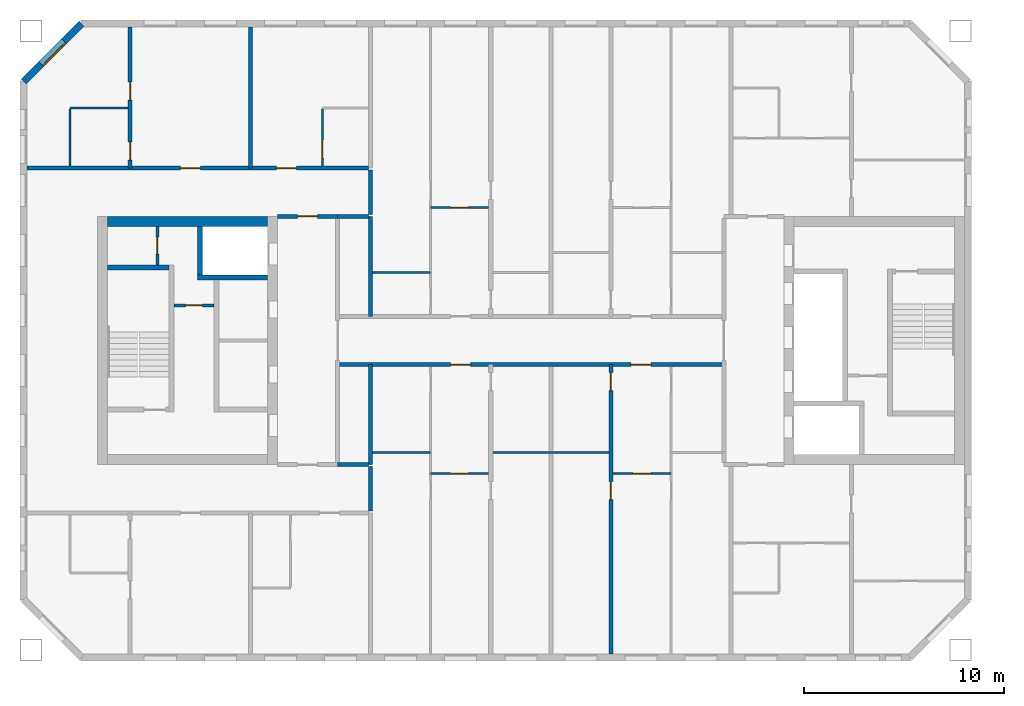
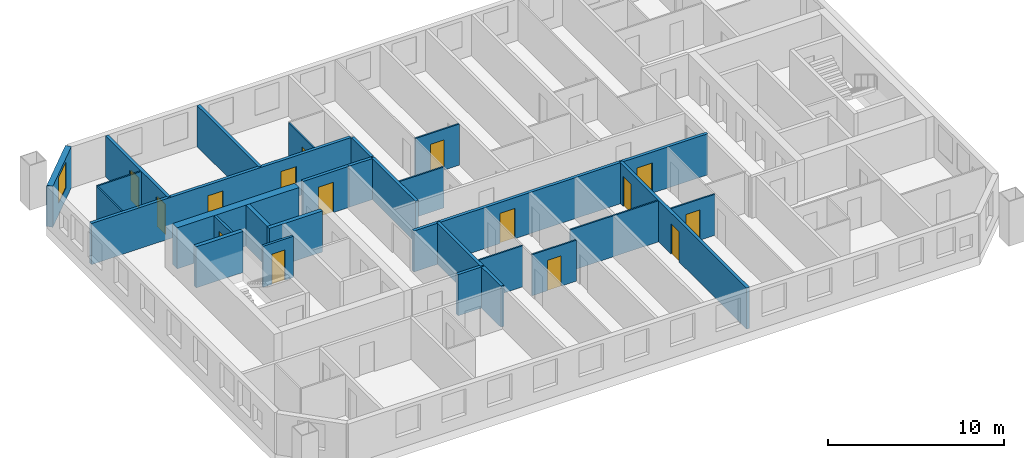
# One storey, part 4 of 15: 28 walls, 15 doors, 1 window, 16 openings.
"""IFC4 building model written with IfcOpenShell, lengths in metres."""

from ifc_helpers import new_model, si_unit, direction, frame, frame_2d, origin, place, context, subcontext, project, spatial, rectangle, extrude, material, layer, layer_set, type_object, element, fill, save


model = new_model("IFC4")

# Units and contexts
model_context = context("Model", 3, precision=1e-05, world=origin(), true_north=direction((0.0, 1.0)))
body_context = subcontext(model_context, "Body", "Model", "MODEL_VIEW")
ifc_project = project(units=[si_unit("LENGTHUNIT", "METRE"), si_unit("AREAUNIT", "SQUARE_METRE"), si_unit("VOLUMEUNIT", "CUBIC_METRE"), si_unit("PLANEANGLEUNIT", "RADIAN"), si_unit("MASSUNIT", "GRAM", prefix="KILO")], contexts=[model_context])

# Site, building, storey
site_placement = place(None, origin())
site = spatial("IfcSite", under=ifc_project, at=site_placement, CompositionType="ELEMENT")
building_placement = place(site_placement, origin())
building = spatial("IfcBuilding", under=site, at=building_placement, Name="Tuart Gate Housing", CompositionType="ELEMENT")
storey_placement = place(building_placement, frame((0.0, 0.0, 148.5)))
storey = spatial("IfcBuildingStorey", under=building, at=storey_placement, Name="L41", CompositionType="ELEMENT", Elevation=148.5)

# Wall, opening, window
ifc_material_1 = material(Name="Brick", Category="masonry")
ifc_layer_1 = layer(ifc_material_1, 0.360107421875)
ifc_layer_set_1 = layer_set([ifc_layer_1], Name="Brick pier and spandrel wall 360")
wall_type_1 = type_object("IfcWallType", Name="Brick pier and spandrel wall 360", PredefinedType="STANDARD", material=ifc_layer_set_1)
wall_1_placement = place(storey_placement, frame((31.57470703125, 85.820068359375, 0.0), z_axis=(0.0, 0.0, 1.0), x_axis=(-0.707106781187, -0.707106781187, 0.0)))
wall_1 = element("IfcWall", 1, at=wall_1_placement, inside=storey, type_object=wall_type_1, Name="External wall A-NW L41", PredefinedType="STANDARD", context=body_context, shape_type="SweptSolid", body=[
    extrude(rectangle(XDim=4.09375, YDim=0.360107421875, at=frame_2d((2.046875, 0.0))), origin(), (0.0, 0.0, 1.0), 2.85009765625),
])
opening_1_placement = place(wall_1_placement, frame((1.2470703125, 0.0, 0.800048828125)))
opening_1 = element("IfcOpeningElement", 2, at=opening_1_placement, cuts=wall_1, Name="Opening W1", PredefinedType="OPENING", context=body_context, shape_type="SweptSolid", body=[
    extrude(rectangle(XDim=1.60009765625, YDim=1.800048828125, at=frame_2d((0.800048828125, 0.89990234375))), frame((0.0, 0.18994140625, 0.0), z_axis=(0.0, -1.0, 0.0), x_axis=(1.0, 0.0, 0.0)), (0.0, 0.0, 1.0), 0.380126953125),
])
ifc_material_2 = material(Name="Aluminium frame with clear glass", Category="aluminium")
window_type = type_object("IfcWindowType", Name="Punched window 1600 x 1800", PartitioningType="SINGLE_PANEL", PredefinedType="WINDOW", material=ifc_material_2)
window_placement = place(opening_1_placement, origin())
window = element("IfcWindow", 3, at=window_placement, inside=storey, type_object=window_type, Name="Window W1", OverallHeight=1.800048828125, OverallWidth=1.60009765625, PartitioningType="SINGLE_PANEL", PredefinedType="WINDOW", context=body_context, shape_type="SweptSolid", body=[
    extrude(rectangle(XDim=1.60009765625, YDim=1.800048828125, at=frame_2d((0.800048828125, 0.89990234375))), frame((0.0, 0.150146484375, 0.0), z_axis=(0.0, -1.0, 0.0), x_axis=(1.0, 0.0, 0.0)), (0.0, 0.0, 1.0), 0.06005859375),
])
fill(opening_1, window)

# Wall, opening, door
ifc_material_3 = material(Name="Plasterboard partition")
ifc_layer_2 = layer(ifc_material_3, 0.14990234375)
ifc_layer_set_2 = layer_set([ifc_layer_2], Name="Core partition 150")
wall_type_2 = type_object("IfcWallType", Name="Core partition 150", PredefinedType="PARTITIONING", material=ifc_layer_set_2)
wall_2_placement = place(storey_placement, frame((38.18505859375, 71.75, 0.0), z_axis=(0.0, 0.0, 1.0), x_axis=(-1.0, 0.0, 0.0)))
wall_2 = element("IfcWall", 4, at=wall_2_placement, inside=storey, type_object=wall_type_2, Name="Core partition AK.3", PredefinedType="PARTITIONING", context=body_context, shape_type="SweptSolid", body=[
    extrude(rectangle(XDim=2.0, YDim=0.14990234375, at=frame_2d((1.0, 0.0))), origin(), (0.0, 0.0, 1.0), 2.85009765625),
])
opening_2_placement = place(wall_2_placement, frame((0.574951171875, 0.0, 0.0)))
opening_2 = element("IfcOpeningElement", 5, at=opening_2_placement, cuts=wall_2, Name="Opening D1539", PredefinedType="OPENING", context=body_context, shape_type="SweptSolid", body=[
    extrude(rectangle(XDim=0.85009765625, YDim=2.10009765625, at=frame_2d((0.425048828125, 1.050048828125))), frame((0.0, 0.0849609375, 0.0), z_axis=(0.0, -1.0, 0.0), x_axis=(1.0, 0.0, 0.0)), (0.0, 0.0, 1.0), 0.169921875),
])
ifc_material_4 = material(Name="Steel fire door", Category="steel")
door_type_1 = type_object("IfcDoorType", Name="Riser door 850 x 2100 RH", OperationType="SINGLE_SWING_RIGHT", PredefinedType="DOOR", material=ifc_material_4)
door_1_placement = place(opening_2_placement, frame((0.85009765625, 0.0, 0.0), z_axis=(0.0, 0.0, 1.0), x_axis=(-1.0, 0.0, 0.0)))
door_1 = element("IfcDoor", 6, at=door_1_placement, inside=storey, type_object=door_type_1, Name="Service room door AK.E1", OperationType="SINGLE_SWING_RIGHT", OverallHeight=2.10009765625, OverallWidth=0.85009765625, PredefinedType="DOOR", context=body_context, shape_type="SweptSolid", body=[
    extrude(rectangle(XDim=0.85009765625, YDim=2.10009765625, at=frame_2d((0.425048828125, 1.050048828125))), frame((0.0, 0.025146484375, 0.0), z_axis=(0.0, -1.0, 0.0), x_axis=(1.0, 0.0, 0.0)), (0.0, 0.0, 1.0), 0.050048828125),
])
fill(opening_2, door_1)

wall_3_placement = place(storey_placement, frame((35.360107421875, 75.699951171875, 0.0), z_axis=(0.0, 0.0, 1.0), x_axis=(0.0, -1.0, 0.0)))
wall_3 = element("IfcWall", 7, at=wall_3_placement, inside=storey, type_object=wall_type_2, Name="Core partition AK.10", PredefinedType="PARTITIONING", context=body_context, shape_type="SweptSolid", body=[
    extrude(rectangle(XDim=1.925048828125, YDim=0.14990234375, at=frame_2d((0.96240234375, 0.0))), origin(), (0.0, 0.0, 1.0), 2.85009765625),
])
opening_3_placement = place(wall_3_placement, frame((0.53759765625, 0.0, 0.0)))
opening_3 = element("IfcOpeningElement", 8, at=opening_3_placement, cuts=wall_3, Name="Opening D1537", PredefinedType="OPENING", context=body_context, shape_type="SweptSolid", body=[
    extrude(rectangle(XDim=0.85009765625, YDim=2.10009765625, at=frame_2d((0.425048828125, 1.050048828125))), frame((0.0, 0.0849609375, 0.0), z_axis=(0.0, -1.0, 0.0), x_axis=(1.0, 0.0, 0.0)), (0.0, 0.0, 1.0), 0.169921875),
])
ifc_material_5 = material(Name="Steel fire door", Category="steel")
door_type_2 = type_object("IfcDoorType", Name="Service door 850 x 2100", OperationType="SINGLE_SWING_LEFT", PredefinedType="DOOR", material=ifc_material_5)
door_2_placement = place(opening_3_placement, origin())
door_2 = element("IfcDoor", 9, at=door_2_placement, inside=storey, type_object=door_type_2, Name="Service room door AK.E2", OperationType="SINGLE_SWING_LEFT", OverallHeight=2.10009765625, OverallWidth=0.85009765625, PredefinedType="DOOR", context=body_context, shape_type="SweptSolid", body=[
    extrude(rectangle(XDim=0.85009765625, YDim=2.10009765625, at=frame_2d((0.425048828125, 1.050048828125))), frame((0.0, 0.02490234375, 0.0), z_axis=(0.0, -1.0, 0.0), x_axis=(1.0, 0.0, 0.0)), (0.0, 0.0, 1.0), 0.050048828125),
])
fill(opening_3, door_2)

# Walls
ifc_material_6 = material(Name="Concrete C40", Category="concrete")
ifc_layer_3 = layer(ifc_material_6, 0.25)
ifc_layer_set_3 = layer_set([ifc_layer_3], Name="Core wall 250 C40")
wall_type_3 = type_object("IfcWallType", Name="Core wall 250 C40", PredefinedType="SHEAR", material=ifc_layer_set_3)
wall_4_placement = place(storey_placement, frame((35.93505859375, 73.64990234375, 0.0), z_axis=(0.0, 0.0, 1.0), x_axis=(-1.0, 0.0, 0.0)))
element("IfcWall", 10, at=wall_4_placement, inside=storey, type_object=wall_type_3, Name="Core wall AK.1", PredefinedType="SHEAR", context=body_context, shape_type="SweptSolid", body=[
    extrude(rectangle(XDim=3.074951171875, YDim=0.25, at=frame_2d((1.53759765625, 0.0))), origin(), (0.0, 0.0, 1.0), 2.85009765625),
])
wall_5_placement = place(storey_placement, frame((40.860107421875, 73.14990234375, 0.0), z_axis=(0.0, 0.0, 1.0), x_axis=(-1.0, 0.0, 0.0)))
element("IfcWall", 11, at=wall_5_placement, inside=storey, type_object=wall_type_3, Name="Core wall AK.2", PredefinedType="SHEAR", context=body_context, shape_type="SweptSolid", body=[
    extrude(rectangle(XDim=3.4951171875, YDim=0.25, at=frame_2d((1.74755859375, 0.0))), origin(), (0.0, 0.0, 1.0), 2.85009765625),
])
wall_6_placement = place(storey_placement, frame((37.489990234375, 75.699951171875, 0.0), z_axis=(0.0, 0.0, 1.0), x_axis=(0.0, -1.0, 0.0)))
element("IfcWall", 12, at=wall_6_placement, inside=storey, type_object=wall_type_3, Name="Core wall AK.8", PredefinedType="SHEAR", context=body_context, shape_type="SweptSolid", body=[
    extrude(rectangle(XDim=2.425048828125, YDim=0.25, at=frame_2d((1.21240234375, 0.0))), origin(), (0.0, 0.0, 1.0), 2.85009765625),
])
ifc_material_7 = material(Name="Concrete C40", Category="concrete")
ifc_layer_4 = layer(ifc_material_7, 0.5)
ifc_layer_set_4 = layer_set([ifc_layer_4], Name="Core wall 500 C40")
wall_type_4 = type_object("IfcWallType", Name="Core wall 500 C40", PredefinedType="SHEAR", material=ifc_layer_set_4)
wall_7_placement = place(storey_placement, frame((40.860107421875, 75.949951171875, 0.0), z_axis=(0.0, 0.0, 1.0), x_axis=(-1.0, 0.0, 0.0)))
element("IfcWall", 13, at=wall_7_placement, inside=storey, type_object=wall_type_4, Name="Core wall AK south", PredefinedType="SHEAR", context=body_context, shape_type="SweptSolid", body=[
    extrude(rectangle(XDim=8.0, YDim=0.5, at=frame_2d((4.0, 0.0))), origin(), (0.0, 0.0, 1.0), 2.85009765625),
])
ifc_material_8 = material(Name="Concrete masonry 15 MPa", Category="masonry")
ifc_layer_5 = layer(ifc_material_8, 0.199951171875)
ifc_layer_set_5 = layer_set([ifc_layer_5], Name="Corridor wall masonry 200")
wall_type_5 = type_object("IfcWallType", Name="Corridor wall masonry 200", PredefinedType="PARTITIONING", material=ifc_layer_set_5)
wall_8_placement = place(storey_placement, frame((44.360107421875, 63.800048828125, 0.0), z_axis=(0.0, 0.0, 1.0), x_axis=(1.0, 0.0, 0.0)))
element("IfcWall", 14, at=wall_8_placement, inside=storey, type_object=wall_type_5, Name="Corridor wall masonry 200", PredefinedType="PARTITIONING", context=body_context, shape_type="SweptSolid", body=[
    extrude(rectangle(XDim=1.539794921875, YDim=0.199951171875, at=frame_2d((0.77001953125, 0.0))), origin(), (0.0, 0.0, 1.0), 2.85009765625),
])

# Wall, openings, doors
wall_9_placement = place(storey_placement, frame((44.360107421875, 68.800048828125, 0.0), z_axis=(0.0, 0.0, 1.0), x_axis=(1.0, 0.0, 0.0)))
wall_9 = element("IfcWall", 15, at=wall_9_placement, inside=storey, type_object=wall_type_5, Name="Corridor wall masonry 200", PredefinedType="PARTITIONING", context=body_context, shape_type="SweptSolid", body=[
    extrude(rectangle(XDim=19.27978515625, YDim=0.199951171875, at=frame_2d((9.639892578125, 0.0))), origin(), (0.0, 0.0, 1.0), 2.85009765625),
])
opening_4_placement = place(wall_9_placement, frame((14.639892578125, 0.0, 0.0)))
opening_4 = element("IfcOpeningElement", 16, at=opening_4_placement, cuts=wall_9, Name="Opening D1548", PredefinedType="OPENING", context=body_context, shape_type="SweptSolid", body=[
    extrude(rectangle(XDim=1.0, YDim=2.10009765625, at=frame_2d((0.5, 1.050048828125))), frame((0.0, 0.10986328125, 0.0), z_axis=(0.0, -1.0, 0.0), x_axis=(1.0, 0.0, 0.0)), (0.0, 0.0, 1.0), 0.219970703125),
])
opening_5_placement = place(wall_9_placement, frame((5.639892578125, 0.0, 0.0)))
opening_5 = element("IfcOpeningElement", 17, at=opening_5_placement, cuts=wall_9, Name="Opening D1549", PredefinedType="OPENING", context=body_context, shape_type="SweptSolid", body=[
    extrude(rectangle(XDim=1.0, YDim=2.10009765625, at=frame_2d((0.5, 1.050048828125))), frame((0.0, 0.10986328125, 0.0), z_axis=(0.0, -1.0, 0.0), x_axis=(1.0, 0.0, 0.0)), (0.0, 0.0, 1.0), 0.219970703125),
])
ifc_material_9 = material(Name="Timber door leaf in steel frame", Category="steel")
door_type_3 = type_object("IfcDoorType", Name="Flat entrance door 1000 RH", OperationType="SINGLE_SWING_RIGHT", PredefinedType="DOOR", material=ifc_material_9)
door_3_placement = place(opening_4_placement, frame((1.0, 0.0, 0.0), z_axis=(0.0, 0.0, 1.0), x_axis=(-1.0, 0.0, 0.0)))
door_3 = element("IfcDoor", 18, at=door_3_placement, inside=storey, type_object=door_type_3, Name="Flat entrance door", OperationType="SINGLE_SWING_RIGHT", OverallHeight=2.10009765625, OverallWidth=1.0, PredefinedType="DOOR", context=body_context, shape_type="SweptSolid", body=[
    extrude(rectangle(XDim=1.0, YDim=2.10009765625, at=frame_2d((0.5, 1.050048828125))), frame((0.0, 0.025146484375, 0.0), z_axis=(0.0, -1.0, 0.0), x_axis=(1.0, 0.0, 0.0)), (0.0, 0.0, 1.0), 0.050048828125),
])
fill(opening_4, door_3)
door_4_placement = place(opening_5_placement, frame((1.0, 0.0, 0.0), z_axis=(0.0, 0.0, 1.0), x_axis=(-1.0, 0.0, 0.0)))
door_4 = element("IfcDoor", 19, at=door_4_placement, inside=storey, type_object=door_type_3, Name="Flat entrance door", OperationType="SINGLE_SWING_RIGHT", OverallHeight=2.10009765625, OverallWidth=1.0, PredefinedType="DOOR", context=body_context, shape_type="SweptSolid", body=[
    extrude(rectangle(XDim=1.0, YDim=2.10009765625, at=frame_2d((0.5, 1.050048828125))), frame((0.0, 0.025146484375, 0.0), z_axis=(0.0, -1.0, 0.0), x_axis=(1.0, 0.0, 0.0)), (0.0, 0.0, 1.0), 0.050048828125),
])
fill(opening_5, door_4)

# Wall
wall_10_placement = place(storey_placement, frame((44.360107421875, 76.199951171875, 0.0), z_axis=(0.0, 0.0, 1.0), x_axis=(1.0, 0.0, 0.0)))
element("IfcWall", 20, at=wall_10_placement, inside=storey, type_object=wall_type_5, Name="Corridor wall masonry 200", PredefinedType="PARTITIONING", context=body_context, shape_type="SweptSolid", body=[
    extrude(rectangle(XDim=1.539794921875, YDim=0.199951171875, at=frame_2d((0.77001953125, 0.0))), origin(), (0.0, 0.0, 1.0), 2.85009765625),
])

# Wall, openings, doors
wall_11_placement = place(storey_placement, frame((28.860107421875, 78.60009765625, 0.0), z_axis=(0.0, 0.0, 1.0), x_axis=(1.0, 0.0, 0.0)))
wall_11 = element("IfcWall", 21, at=wall_11_placement, inside=storey, type_object=wall_type_5, Name="Corridor wall masonry 200", PredefinedType="PARTITIONING", context=body_context, shape_type="SweptSolid", body=[
    extrude(rectangle(XDim=17.039794921875, YDim=0.199951171875, at=frame_2d((8.52001953125, 0.0))), origin(), (0.0, 0.0, 1.0), 2.85009765625),
])
opening_6_placement = place(wall_11_placement, frame((12.43994140625, 0.0, 0.0)))
opening_6 = element("IfcOpeningElement", 22, at=opening_6_placement, cuts=wall_11, Name="Opening D1523", PredefinedType="OPENING", context=body_context, shape_type="SweptSolid", body=[
    extrude(rectangle(XDim=1.0, YDim=2.10009765625, at=frame_2d((0.5, 1.050048828125))), frame((0.0, 0.10986328125, 0.0), z_axis=(0.0, -1.0, 0.0), x_axis=(1.0, 0.0, 0.0)), (0.0, 0.0, 1.0), 0.219970703125),
])
opening_7_placement = place(wall_11_placement, frame((7.639892578125, 0.0, 0.0)))
opening_7 = element("IfcOpeningElement", 23, at=opening_7_placement, cuts=wall_11, Name="Opening D1524", PredefinedType="OPENING", context=body_context, shape_type="SweptSolid", body=[
    extrude(rectangle(XDim=1.0, YDim=2.10009765625, at=frame_2d((0.5, 1.050048828125))), frame((0.0, 0.10986328125, 0.0), z_axis=(0.0, -1.0, 0.0), x_axis=(1.0, 0.0, 0.0)), (0.0, 0.0, 1.0), 0.219970703125),
])
ifc_material_10 = material(Name="Timber door leaf in steel frame", Category="steel")
door_type_4 = type_object("IfcDoorType", Name="Flat entrance door 1000", OperationType="SINGLE_SWING_LEFT", PredefinedType="DOOR", material=ifc_material_10)
door_5_placement = place(opening_6_placement, origin())
door_5 = element("IfcDoor", 24, at=door_5_placement, inside=storey, type_object=door_type_4, Name="Flat entrance door", OperationType="SINGLE_SWING_LEFT", OverallHeight=2.10009765625, OverallWidth=1.0, PredefinedType="DOOR", context=body_context, shape_type="SweptSolid", body=[
    extrude(rectangle(XDim=1.0, YDim=2.10009765625, at=frame_2d((0.5, 1.050048828125))), frame((0.0, 0.02490234375, 0.0), z_axis=(0.0, -1.0, 0.0), x_axis=(1.0, 0.0, 0.0)), (0.0, 0.0, 1.0), 0.050048828125),
])
fill(opening_6, door_5)
door_6_placement = place(opening_7_placement, origin())
door_6 = element("IfcDoor", 25, at=door_6_placement, inside=storey, type_object=door_type_4, Name="Flat entrance door", OperationType="SINGLE_SWING_LEFT", OverallHeight=2.10009765625, OverallWidth=1.0, PredefinedType="DOOR", context=body_context, shape_type="SweptSolid", body=[
    extrude(rectangle(XDim=1.0, YDim=2.10009765625, at=frame_2d((0.5, 1.050048828125))), frame((0.0, 0.02490234375, 0.0), z_axis=(0.0, -1.0, 0.0), x_axis=(1.0, 0.0, 0.0)), (0.0, 0.0, 1.0), 0.050048828125),
])
fill(opening_7, door_6)

# Walls
for number, where, z_axis, x_axis, name in (
    (26, (46.0, 61.5, 0.0), (0.0, 0.0, 1.0), (0.0, 1.0, 0.0), "Corridor wall masonry 200"),
    (27, (46.0, 76.300048828125, 0.0), (0.0, 0.0, 1.0), (0.0, 1.0, 0.0), "Corridor wall masonry 200"),
):
    element("IfcWall", number, at=place(storey_placement, frame(where, z_axis=z_axis, x_axis=x_axis)), inside=storey, type_object=wall_type_5, Name=name, PredefinedType="PARTITIONING", context=body_context, shape_type="SweptSolid", body=[
        extrude(rectangle(XDim=2.199951171875, YDim=0.199951171875, at=frame_2d((1.10009765625, 0.0))), origin(), (0.0, 0.0, 1.0), 2.85009765625),
    ])

# Wall, opening, door
ifc_material_11 = material(Name="Concrete masonry 15 MPa", Category="masonry")
ifc_layer_6 = layer(ifc_material_11, 0.199951171875)
ifc_layer_set_6 = layer_set([ifc_layer_6], Name="Enclosure wall masonry 200")
wall_type_6 = type_object("IfcWallType", Name="Enclosure wall masonry 200", PredefinedType="PARTITIONING", material=ifc_layer_set_6)
wall_12_placement = place(storey_placement, frame((41.360107421875, 76.199951171875, 0.0), z_axis=(0.0, 0.0, 1.0), x_axis=(1.0, 0.0, 0.0)))
wall_12 = element("IfcWall", 28, at=wall_12_placement, inside=storey, type_object=wall_type_6, Name="Enclosure wall masonry 200", PredefinedType="PARTITIONING", context=body_context, shape_type="SweptSolid", body=[
    extrude(rectangle(XDim=3.0, YDim=0.199951171875, at=frame_2d((1.5, 0.0))), origin(), (0.0, 0.0, 1.0), 2.85009765625),
])
opening_8_placement = place(wall_12_placement, frame((1.0, 0.0, 0.0)))
opening_8 = element("IfcOpeningElement", 29, at=opening_8_placement, cuts=wall_12, Name="Opening D1535", PredefinedType="OPENING", context=body_context, shape_type="SweptSolid", body=[
    extrude(rectangle(XDim=1.0, YDim=2.10009765625, at=frame_2d((0.5, 1.050048828125))), frame((0.0, 0.10986328125, 0.0), z_axis=(0.0, -1.0, 0.0), x_axis=(1.0, 0.0, 0.0)), (0.0, 0.0, 1.0), 0.219970703125),
])
ifc_material_12 = material(Name="Timber door leaf in steel frame", Category="steel")
door_type_5 = type_object("IfcDoorType", Name="Fire door 1000 RH", OperationType="SINGLE_SWING_RIGHT", PredefinedType="DOOR", material=ifc_material_12)
door_7_placement = place(opening_8_placement, origin())
door_7 = element("IfcDoor", 30, at=door_7_placement, inside=storey, type_object=door_type_5, Name="Fire door", OperationType="SINGLE_SWING_RIGHT", OverallHeight=2.10009765625, OverallWidth=1.0, PredefinedType="DOOR", context=body_context, shape_type="SweptSolid", body=[
    extrude(rectangle(XDim=1.0, YDim=2.10009765625, at=frame_2d((0.5, 1.050048828125))), frame((0.0, 0.02490234375, 0.0), z_axis=(0.0, -1.0, 0.0), x_axis=(1.0, 0.0, 0.0)), (0.0, 0.0, 1.0), 0.050048828125),
])
fill(opening_8, door_7)

ifc_material_13 = material(Name="Gypsum board on steel studs", Category="steel")
ifc_layer_7 = layer(ifc_material_13, 0.10009765625)
ifc_layer_set_7 = layer_set([ifc_layer_7], Name="Partition 100")
wall_type_7 = type_object("IfcWallType", Name="Partition 100", PredefinedType="PARTITIONING", material=ifc_layer_set_7)
wall_13_placement = place(storey_placement, frame((49.0, 63.360107421875, 0.0), z_axis=(0.0, 0.0, 1.0), x_axis=(1.0, 0.0, 0.0)))
wall_13 = element("IfcWall", 31, at=wall_13_placement, inside=storey, type_object=wall_type_7, Name="Partition 100", PredefinedType="PARTITIONING", context=body_context, shape_type="SweptSolid", body=[
    extrude(rectangle(XDim=2.89990234375, YDim=0.10009765625, at=frame_2d((1.449951171875, 0.0))), origin(), (0.0, 0.0, 1.0), 2.85009765625),
])
opening_9_placement = place(wall_13_placement, frame((1.0, 0.0, 0.0)))
opening_9 = element("IfcOpeningElement", 32, at=opening_9_placement, cuts=wall_13, Name="Opening D1554", PredefinedType="OPENING", context=body_context, shape_type="SweptSolid", body=[
    extrude(rectangle(XDim=0.89990234375, YDim=2.10009765625, at=frame_2d((0.449951171875, 1.050048828125))), frame((0.0, 0.06005859375, 0.0), z_axis=(0.0, -1.0, 0.0), x_axis=(1.0, 0.0, 0.0)), (0.0, 0.0, 1.0), 0.1201171875),
])
ifc_material_14 = material(Name="Timber door leaf in steel frame", Category="steel")
door_type_6 = type_object("IfcDoorType", Name="Internal door 900", OperationType="SINGLE_SWING_LEFT", PredefinedType="DOOR", material=ifc_material_14)
door_8_placement = place(opening_9_placement, origin())
door_8 = element("IfcDoor", 33, at=door_8_placement, inside=storey, type_object=door_type_6, Name="Internal door", OperationType="SINGLE_SWING_LEFT", OverallHeight=2.10009765625, OverallWidth=0.89990234375, PredefinedType="DOOR", context=body_context, shape_type="SweptSolid", body=[
    extrude(rectangle(XDim=0.89990234375, YDim=2.10009765625, at=frame_2d((0.449951171875, 1.050048828125))), frame((0.0, 0.02490234375, 0.0), z_axis=(0.0, -1.0, 0.0), x_axis=(1.0, 0.0, 0.0)), (0.0, 0.0, 1.0), 0.050048828125),
])
fill(opening_9, door_8)

wall_14_placement = place(storey_placement, frame((58.10009765625, 63.360107421875, 0.0), z_axis=(0.0, 0.0, 1.0), x_axis=(1.0, 0.0, 0.0)))
wall_14 = element("IfcWall", 34, at=wall_14_placement, inside=storey, type_object=wall_type_7, Name="Partition 100", PredefinedType="PARTITIONING", context=body_context, shape_type="SweptSolid", body=[
    extrude(rectangle(XDim=2.89990234375, YDim=0.10009765625, at=frame_2d((1.449951171875, 0.0))), origin(), (0.0, 0.0, 1.0), 2.85009765625),
])
opening_10_placement = place(wall_14_placement, frame((1.0, 0.0, 0.0)))
opening_10 = element("IfcOpeningElement", 35, at=opening_10_placement, cuts=wall_14, Name="Opening D1555", PredefinedType="OPENING", context=body_context, shape_type="SweptSolid", body=[
    extrude(rectangle(XDim=0.89990234375, YDim=2.10009765625, at=frame_2d((0.449951171875, 1.050048828125))), frame((0.0, 0.06005859375, 0.0), z_axis=(0.0, -1.0, 0.0), x_axis=(1.0, 0.0, 0.0)), (0.0, 0.0, 1.0), 0.1201171875),
])
ifc_material_15 = material(Name="Timber door leaf in steel frame", Category="steel")
door_type_7 = type_object("IfcDoorType", Name="Internal door 900 RH", OperationType="SINGLE_SWING_RIGHT", PredefinedType="DOOR", material=ifc_material_15)
door_9_placement = place(opening_10_placement, origin())
door_9 = element("IfcDoor", 36, at=door_9_placement, inside=storey, type_object=door_type_7, Name="Internal door", OperationType="SINGLE_SWING_RIGHT", OverallHeight=2.10009765625, OverallWidth=0.89990234375, PredefinedType="DOOR", context=body_context, shape_type="SweptSolid", body=[
    extrude(rectangle(XDim=0.89990234375, YDim=2.10009765625, at=frame_2d((0.449951171875, 1.050048828125))), frame((0.0, 0.02490234375, 0.0), z_axis=(0.0, -1.0, 0.0), x_axis=(1.0, 0.0, 0.0)), (0.0, 0.0, 1.0), 0.050048828125),
])
fill(opening_10, door_9)

# Walls
wall_15_placement = place(storey_placement, frame((46.10009765625, 64.39990234375, 0.0), z_axis=(0.0, 0.0, 1.0), x_axis=(1.0, 0.0, 0.0)))
element("IfcWall", 37, at=wall_15_placement, inside=storey, type_object=wall_type_7, Name="Partition 100", PredefinedType="PARTITIONING", context=body_context, shape_type="SweptSolid", body=[
    extrude(rectangle(XDim=2.89990234375, YDim=0.10009765625, at=frame_2d((1.449951171875, 0.0))), origin(), (0.0, 0.0, 1.0), 2.85009765625),
])
wall_16_placement = place(storey_placement, frame((52.10009765625, 64.39990234375, 0.0), z_axis=(0.0, 0.0, 1.0), x_axis=(1.0, 0.0, 0.0)))
element("IfcWall", 38, at=wall_16_placement, inside=storey, type_object=wall_type_7, Name="Partition 100", PredefinedType="PARTITIONING", context=body_context, shape_type="SweptSolid", body=[
    extrude(rectangle(XDim=5.7998046875, YDim=0.10009765625, at=frame_2d((2.89990234375, 0.0))), origin(), (0.0, 0.0, 1.0), 2.85009765625),
])
wall_17_placement = place(storey_placement, frame((46.10009765625, 73.39990234375, 0.0), z_axis=(0.0, 0.0, 1.0), x_axis=(1.0, 0.0, 0.0)))
element("IfcWall", 39, at=wall_17_placement, inside=storey, type_object=wall_type_7, Name="Partition 100", PredefinedType="PARTITIONING", context=body_context, shape_type="SweptSolid", body=[
    extrude(rectangle(XDim=2.89990234375, YDim=0.10009765625, at=frame_2d((1.449951171875, 0.0))), origin(), (0.0, 0.0, 1.0), 2.85009765625),
])

# Wall, opening, door
wall_18_placement = place(storey_placement, frame((49.0, 76.639892578125, 0.0), z_axis=(0.0, 0.0, 1.0), x_axis=(1.0, 0.0, 0.0)))
wall_18 = element("IfcWall", 40, at=wall_18_placement, inside=storey, type_object=wall_type_7, Name="Partition 100", PredefinedType="PARTITIONING", context=body_context, shape_type="SweptSolid", body=[
    extrude(rectangle(XDim=2.89990234375, YDim=0.10009765625, at=frame_2d((1.449951171875, 0.0))), origin(), (0.0, 0.0, 1.0), 2.85009765625),
])
opening_11_placement = place(wall_18_placement, frame((1.0, 0.0, 0.0)))
opening_11 = element("IfcOpeningElement", 41, at=opening_11_placement, cuts=wall_18, Name="Opening D1533", PredefinedType="OPENING", context=body_context, shape_type="SweptSolid", body=[
    extrude(rectangle(XDim=0.89990234375, YDim=2.10009765625, at=frame_2d((0.449951171875, 1.050048828125))), frame((0.0, 0.06005859375, 0.0), z_axis=(0.0, -1.0, 0.0), x_axis=(1.0, 0.0, 0.0)), (0.0, 0.0, 1.0), 0.1201171875),
])
door_10_placement = place(opening_11_placement, frame((0.89990234375, 0.0, 0.0), z_axis=(0.0, 0.0, 1.0), x_axis=(-1.0, 0.0, 0.0)))
door_10 = element("IfcDoor", 42, at=door_10_placement, inside=storey, type_object=door_type_7, Name="Internal door", OperationType="SINGLE_SWING_RIGHT", OverallHeight=2.10009765625, OverallWidth=0.89990234375, PredefinedType="DOOR", context=body_context, shape_type="SweptSolid", body=[
    extrude(rectangle(XDim=0.89990234375, YDim=2.10009765625, at=frame_2d((0.449951171875, 1.050048828125))), frame((0.0, 0.025146484375, 0.0), z_axis=(0.0, -1.0, 0.0), x_axis=(1.0, 0.0, 0.0)), (0.0, 0.0, 1.0), 0.050048828125),
])
fill(opening_11, door_10)

# Walls
wall_19_placement = place(storey_placement, frame((31.0, 81.60009765625, 0.0), z_axis=(0.0, 0.0, 1.0), x_axis=(1.0, 0.0, 0.0)))
element("IfcWall", 43, at=wall_19_placement, inside=storey, type_object=wall_type_7, Name="Partition 100", PredefinedType="PARTITIONING", context=body_context, shape_type="SweptSolid", body=[
    extrude(rectangle(XDim=2.89990234375, YDim=0.10009765625, at=frame_2d((1.449951171875, 0.0))), origin(), (0.0, 0.0, 1.0), 2.85009765625),
])
wall_20_placement = place(storey_placement, frame((31.0, 78.699951171875, 0.0), z_axis=(0.0, 0.0, 1.0), x_axis=(0.0, 1.0, 0.0)))
element("IfcWall", 44, at=wall_20_placement, inside=storey, type_object=wall_type_7, Name="Partition 100", PredefinedType="PARTITIONING", context=body_context, shape_type="SweptSolid", body=[
    extrude(rectangle(XDim=2.85009765625, YDim=0.10009765625, at=frame_2d((1.425048828125, 0.0))), origin(), (0.0, 0.0, 1.0), 2.85009765625),
])

# Wall, opening, door
wall_21_placement = place(storey_placement, frame((43.60009765625, 78.699951171875, 0.0), z_axis=(0.0, 0.0, 1.0), x_axis=(0.0, 1.0, 0.0)))
wall_21 = element("IfcWall", 45, at=wall_21_placement, inside=storey, type_object=wall_type_7, Name="Partition 100", PredefinedType="PARTITIONING", context=body_context, shape_type="SweptSolid", body=[
    extrude(rectangle(XDim=2.85009765625, YDim=0.10009765625, at=frame_2d((1.425048828125, 0.0))), origin(), (0.0, 0.0, 1.0), 2.85009765625),
])
opening_12_placement = place(wall_21_placement, frame((0.39990234375, 0.0, 0.0)))
opening_12 = element("IfcOpeningElement", 46, at=opening_12_placement, cuts=wall_21, Name="Opening D1520", PredefinedType="OPENING", context=body_context, shape_type="SweptSolid", body=[
    extrude(rectangle(XDim=0.89990234375, YDim=2.10009765625, at=frame_2d((0.449951171875, 1.050048828125))), frame((0.0, 0.06005859375, 0.0), z_axis=(0.0, -1.0, 0.0), x_axis=(1.0, 0.0, 0.0)), (0.0, 0.0, 1.0), 0.1201171875),
])
ifc_material_16 = material(Name="Timber door leaf in steel frame", Category="steel")
door_type_8 = type_object("IfcDoorType", Name="Bathroom door 900 RH", OperationType="SINGLE_SWING_RIGHT", PredefinedType="DOOR", material=ifc_material_16)
door_11_placement = place(opening_12_placement, frame((0.89990234375, 0.0, 0.0), z_axis=(0.0, 0.0, 1.0), x_axis=(-1.0, 0.0, 0.0)))
door_11 = element("IfcDoor", 47, at=door_11_placement, inside=storey, type_object=door_type_8, Name="Bathroom door", OperationType="SINGLE_SWING_RIGHT", OverallHeight=2.10009765625, OverallWidth=0.89990234375, PredefinedType="DOOR", context=body_context, shape_type="SweptSolid", body=[
    extrude(rectangle(XDim=0.89990234375, YDim=2.10009765625, at=frame_2d((0.449951171875, 1.050048828125))), frame((0.0, 0.025146484375, 0.0), z_axis=(0.0, -1.0, 0.0), x_axis=(1.0, 0.0, 0.0)), (0.0, 0.0, 1.0), 0.050048828125),
])
fill(opening_12, door_11)

# Wall, openings, doors
ifc_material_17 = material(Name="Concrete C40", Category="concrete")
ifc_layer_8 = layer(ifc_material_17, 0.199951171875)
ifc_layer_set_8 = layer_set([ifc_layer_8], Name="Party wall concrete C40 200")
wall_type_8 = type_object("IfcWallType", Name="Party wall concrete C40 200", PredefinedType="SOLIDWALL", material=ifc_layer_set_8)
wall_22_placement = place(storey_placement, frame((34.0, 78.60009765625, 0.0), z_axis=(0.0, 0.0, 1.0), x_axis=(0.0, 1.0, 0.0)))
wall_22 = element("IfcWall", 48, at=wall_22_placement, inside=storey, type_object=wall_type_8, Name="Party wall concrete C40 200", PredefinedType="SOLIDWALL", context=body_context, shape_type="SweptSolid", body=[
    extrude(rectangle(XDim=7.039794921875, YDim=0.199951171875, at=frame_2d((3.52001953125, 0.0))), origin(), (0.0, 0.0, 1.0), 2.85009765625),
])
opening_13_placement = place(wall_22_placement, frame((3.39990234375, 0.0, 0.0)))
opening_13 = element("IfcOpeningElement", 49, at=opening_13_placement, cuts=wall_22, Name="Opening D1517", PredefinedType="OPENING", context=body_context, shape_type="SweptSolid", body=[
    extrude(rectangle(XDim=0.89990234375, YDim=2.10009765625, at=frame_2d((0.449951171875, 1.050048828125))), frame((0.0, 0.10986328125, 0.0), z_axis=(0.0, -1.0, 0.0), x_axis=(1.0, 0.0, 0.0)), (0.0, 0.0, 1.0), 0.219970703125),
])
opening_14_placement = place(wall_22_placement, frame((0.39990234375, 0.0, 0.0)))
opening_14 = element("IfcOpeningElement", 50, at=opening_14_placement, cuts=wall_22, Name="Opening D1516", PredefinedType="OPENING", context=body_context, shape_type="SweptSolid", body=[
    extrude(rectangle(XDim=0.89990234375, YDim=2.10009765625, at=frame_2d((0.449951171875, 1.050048828125))), frame((0.0, 0.10986328125, 0.0), z_axis=(0.0, -1.0, 0.0), x_axis=(1.0, 0.0, 0.0)), (0.0, 0.0, 1.0), 0.219970703125),
])
ifc_material_18 = material(Name="Timber door leaf in steel frame", Category="steel")
door_type_9 = type_object("IfcDoorType", Name="Bathroom door 900", OperationType="SINGLE_SWING_LEFT", PredefinedType="DOOR", material=ifc_material_18)
door_12_placement = place(opening_14_placement, origin())
door_12 = element("IfcDoor", 51, at=door_12_placement, inside=storey, type_object=door_type_9, Name="Bathroom door", OperationType="SINGLE_SWING_LEFT", OverallHeight=2.10009765625, OverallWidth=0.89990234375, PredefinedType="DOOR", context=body_context, shape_type="SweptSolid", body=[
    extrude(rectangle(XDim=0.89990234375, YDim=2.10009765625, at=frame_2d((0.449951171875, 1.050048828125))), frame((0.0, 0.02490234375, 0.0), z_axis=(0.0, -1.0, 0.0), x_axis=(1.0, 0.0, 0.0)), (0.0, 0.0, 1.0), 0.050048828125),
])
fill(opening_14, door_12)
door_13_placement = place(opening_13_placement, origin())
door_13 = element("IfcDoor", 52, at=door_13_placement, inside=storey, type_object=door_type_6, Name="Internal door", OperationType="SINGLE_SWING_LEFT", OverallHeight=2.10009765625, OverallWidth=0.89990234375, PredefinedType="DOOR", context=body_context, shape_type="SweptSolid", body=[
    extrude(rectangle(XDim=0.89990234375, YDim=2.10009765625, at=frame_2d((0.449951171875, 1.050048828125))), frame((0.0, 0.02490234375, 0.0), z_axis=(0.0, -1.0, 0.0), x_axis=(1.0, 0.0, 0.0)), (0.0, 0.0, 1.0), 0.050048828125),
])
fill(opening_13, door_13)

# Walls
wall_23_placement = place(storey_placement, frame((40.0, 78.60009765625, 0.0), z_axis=(0.0, 0.0, 1.0), x_axis=(0.0, 1.0, 0.0)))
element("IfcWall", 53, at=wall_23_placement, inside=storey, type_object=wall_type_8, Name="Party wall concrete C40 200", PredefinedType="SOLIDWALL", context=body_context, shape_type="SweptSolid", body=[
    extrude(rectangle(XDim=7.039794921875, YDim=0.199951171875, at=frame_2d((3.52001953125, 0.0))), origin(), (0.0, 0.0, 1.0), 2.85009765625),
])
for number, where, z_axis, x_axis, name in (
    (54, (46.0, 63.800048828125, 0.0), (0.0, 0.0, 1.0), (0.0, 1.0, 0.0), "Party wall concrete C40 200"),
    (55, (46.0, 71.199951171875, 0.0), (0.0, 0.0, 1.0), (0.0, 1.0, 0.0), "Party wall concrete C40 200"),
):
    element("IfcWall", number, at=place(storey_placement, frame(where, z_axis=z_axis, x_axis=x_axis)), inside=storey, type_object=wall_type_8, Name=name, PredefinedType="SOLIDWALL", context=body_context, shape_type="SweptSolid", body=[
        extrude(rectangle(XDim=5.0, YDim=0.199951171875, at=frame_2d((2.5, 0.0))), origin(), (0.0, 0.0, 1.0), 2.85009765625),
    ])

# Wall, openings, doors
wall_24_placement = place(storey_placement, frame((58.0, 54.360107421875, 0.0), z_axis=(0.0, 0.0, 1.0), x_axis=(0.0, 1.0, 0.0)))
wall_24 = element("IfcWall", 56, at=wall_24_placement, inside=storey, type_object=wall_type_8, Name="Party wall concrete C40 200", PredefinedType="SOLIDWALL", context=body_context, shape_type="SweptSolid", body=[
    extrude(rectangle(XDim=14.43994140625, YDim=0.199951171875, at=frame_2d((7.219970703125, 0.0))), origin(), (0.0, 0.0, 1.0), 2.85009765625),
])
opening_15_placement = place(wall_24_placement, frame((7.699951171875, 0.0, 0.0)))
opening_15 = element("IfcOpeningElement", 57, at=opening_15_placement, cuts=wall_24, Name="Opening D1559", PredefinedType="OPENING", context=body_context, shape_type="SweptSolid", body=[
    extrude(rectangle(XDim=0.89990234375, YDim=2.10009765625, at=frame_2d((0.449951171875, 1.050048828125))), frame((0.0, 0.10986328125, 0.0), z_axis=(0.0, -1.0, 0.0), x_axis=(1.0, 0.0, 0.0)), (0.0, 0.0, 1.0), 0.219970703125),
])
opening_16_placement = place(wall_24_placement, frame((13.139892578125, 0.0, 0.0)))
opening_16 = element("IfcOpeningElement", 58, at=opening_16_placement, cuts=wall_24, Name="Opening D1558", PredefinedType="OPENING", context=body_context, shape_type="SweptSolid", body=[
    extrude(rectangle(XDim=0.89990234375, YDim=2.10009765625, at=frame_2d((0.449951171875, 1.050048828125))), frame((0.0, 0.10986328125, 0.0), z_axis=(0.0, -1.0, 0.0), x_axis=(1.0, 0.0, 0.0)), (0.0, 0.0, 1.0), 0.219970703125),
])
door_14_placement = place(opening_16_placement, origin())
door_14 = element("IfcDoor", 59, at=door_14_placement, inside=storey, type_object=door_type_8, Name="Bathroom door", OperationType="SINGLE_SWING_RIGHT", OverallHeight=2.10009765625, OverallWidth=0.89990234375, PredefinedType="DOOR", context=body_context, shape_type="SweptSolid", body=[
    extrude(rectangle(XDim=0.89990234375, YDim=2.10009765625, at=frame_2d((0.449951171875, 1.050048828125))), frame((0.0, 0.02490234375, 0.0), z_axis=(0.0, -1.0, 0.0), x_axis=(1.0, 0.0, 0.0)), (0.0, 0.0, 1.0), 0.050048828125),
])
fill(opening_16, door_14)
door_15_placement = place(opening_15_placement, origin())
door_15 = element("IfcDoor", 60, at=door_15_placement, inside=storey, type_object=door_type_7, Name="Internal door", OperationType="SINGLE_SWING_RIGHT", OverallHeight=2.10009765625, OverallWidth=0.89990234375, PredefinedType="DOOR", context=body_context, shape_type="SweptSolid", body=[
    extrude(rectangle(XDim=0.89990234375, YDim=2.10009765625, at=frame_2d((0.449951171875, 1.050048828125))), frame((0.0, 0.02490234375, 0.0), z_axis=(0.0, -1.0, 0.0), x_axis=(1.0, 0.0, 0.0)), (0.0, 0.0, 1.0), 0.050048828125),
])
fill(opening_15, door_15)

save(model, "model.ifc")
